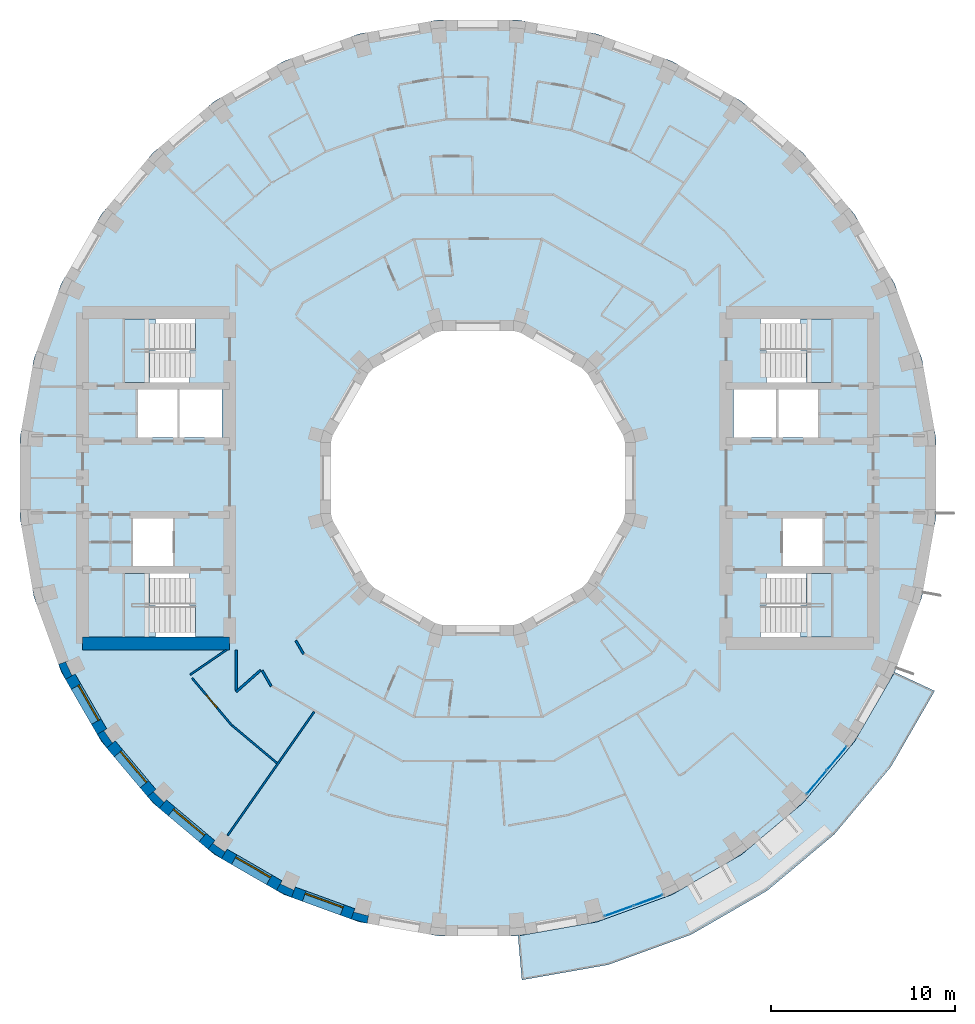
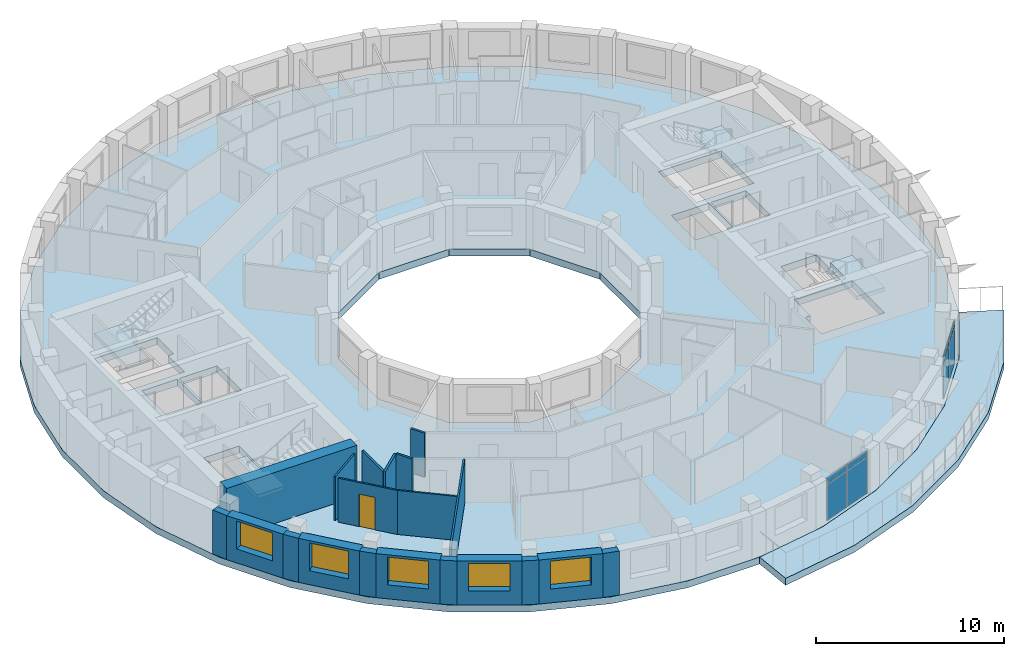
# One storey, part 5 of 15: 20 walls, 8 plates, 6 slabs, 5 windows, 1 door, 6 openings, 6 elements without a shape of their own.
"""IFC4 building model written with IfcOpenShell, lengths in metres."""

from ifc_helpers import new_model, si_unit, direction, frame, frame_2d, origin, origin_2d, place, context, subcontext, project, spatial, polyline, rectangle, outline, extrude, material, layer, layer_set, type_object, element, fill, aggregate, save


model = new_model("IFC4")

# Units and contexts
model_context = context("Model", 3, precision=1e-05, world=origin(), true_north=direction((0.0, 1.0)))
body_context = subcontext(model_context, "Body", "Model", "MODEL_VIEW")
ifc_project = project(units=[si_unit("LENGTHUNIT", "METRE"), si_unit("AREAUNIT", "SQUARE_METRE"), si_unit("VOLUMEUNIT", "CUBIC_METRE"), si_unit("PLANEANGLEUNIT", "RADIAN"), si_unit("MASSUNIT", "GRAM", prefix="KILO")], contexts=[model_context])

# Site, building, storey
site_placement = place(None, origin())
site = spatial("IfcSite", under=ifc_project, at=site_placement, CompositionType="ELEMENT")
building_placement = place(site_placement, origin())
building = spatial("IfcBuilding", under=site, at=building_placement, Name="Saqina Gate Tower", CompositionType="ELEMENT")
storey_placement = place(building_placement, frame((0.0, 0.0, 167.39990234375)))
storey = spatial("IfcBuildingStorey", under=building, at=storey_placement, Name="L47", CompositionType="ELEMENT", Elevation=167.39990234375)

# Curtain wall, plates
ifc_material_1 = material(Name="Aluminium glazing", Category="aluminium")
ifc_layer_1 = layer(ifc_material_1, 0.159912109375)
ifc_layer_set_1 = layer_set([ifc_layer_1], Name="CWT-4")
curtain_wall_type = type_object("IfcCurtainWallType", Name="CWT-4", PredefinedType="NOTDEFINED", material=ifc_layer_set_1)
curtain_wall_1_placement = place(storey_placement, origin())
curtain_wall_1 = element("IfcCurtainWall", 1, at=curtain_wall_1_placement, inside=storey, type_object=curtain_wall_type, Name="Terrace lounge glazing facet 29", PredefinedType="NOTDEFINED")
ifc_material_2 = material(Name="Glass", Category="glass")
ifc_layer_2 = layer(ifc_material_2, 0.028076171875)
ifc_layer_set_2 = layer_set([ifc_layer_2], Name="CWT-4P")
plate_type = type_object("IfcPlateType", Name="CWT-4P", PredefinedType="CURTAIN_PANEL", material=ifc_layer_set_2)
plate_1_placement = place(storey_placement, frame((7.67041015625, -23.5517578125, 0.06005859375), z_axis=(0.0, 0.0, 1.0), x_axis=(0.939690972552, 0.342024671777, 0.0)))
plate_1 = element("IfcPlate", 2, at=plate_1_placement, type_object=plate_type, Name="CW4-29 panel 1.1", PredefinedType="CURTAIN_PANEL", context=body_context, shape_type="SweptSolid", body=[
    extrude(rectangle(XDim=1.634765625, YDim=0.028076171875, at=origin_2d()), origin(), (0.0, 0.0, 1.0), 2.31005859375),
])
plate_2_placement = place(storey_placement, frame((7.67041015625, -23.5517578125, 2.43017578125), z_axis=(0.0, 0.0, 1.0), x_axis=(0.939690972552, 0.342024671777, 0.0)))
plate_2 = element("IfcPlate", 3, at=plate_2_placement, type_object=plate_type, Name="CW4-29 panel 1.2", PredefinedType="CURTAIN_PANEL", context=body_context, shape_type="SweptSolid", body=[
    extrude(rectangle(XDim=1.634765625, YDim=0.028076171875, at=origin_2d()), origin(), (0.0, 0.0, 1.0), 0.360107421875),
])
plate_3_placement = place(storey_placement, frame((9.262939453125, -22.97216796875, 0.06005859375), z_axis=(0.0, 0.0, 1.0), x_axis=(0.939690972552, 0.342024671777, 0.0)))
plate_3 = element("IfcPlate", 4, at=plate_3_placement, type_object=plate_type, Name="CW4-29 panel 2.1", PredefinedType="CURTAIN_PANEL", context=body_context, shape_type="SweptSolid", body=[
    extrude(rectangle(XDim=1.634765625, YDim=0.028076171875, at=origin_2d()), origin(), (0.0, 0.0, 1.0), 2.31005859375),
])
plate_4_placement = place(storey_placement, frame((9.262939453125, -22.97216796875, 2.43017578125), z_axis=(0.0, 0.0, 1.0), x_axis=(0.939690972552, 0.342024671777, 0.0)))
plate_4 = element("IfcPlate", 5, at=plate_4_placement, type_object=plate_type, Name="CW4-29 panel 2.2", PredefinedType="CURTAIN_PANEL", context=body_context, shape_type="SweptSolid", body=[
    extrude(rectangle(XDim=1.634765625, YDim=0.028076171875, at=origin_2d()), origin(), (0.0, 0.0, 1.0), 0.360107421875),
])
aggregate(curtain_wall_1, [plate_1, plate_2, plate_3, plate_4])

curtain_wall_2_placement = place(storey_placement, origin())
curtain_wall_2 = element("IfcCurtainWall", 6, at=curtain_wall_2_placement, inside=storey, type_object=curtain_wall_type, Name="Terrace lounge glazing facet 32", PredefinedType="NOTDEFINED")
plate_5_placement = place(storey_placement, frame((18.418701171875, -16.561279296875, 0.06005859375), z_axis=(0.0, 0.0, 1.0), x_axis=(0.642789549658, 0.766042815286, 0.0)))
plate_5 = element("IfcPlate", 7, at=plate_5_placement, type_object=plate_type, Name="CW4-32 panel 1.1", PredefinedType="CURTAIN_PANEL", context=body_context, shape_type="SweptSolid", body=[
    extrude(rectangle(XDim=1.635009765625, YDim=0.028076171875, at=origin_2d()), origin(), (0.0, 0.0, 1.0), 2.31005859375),
])
plate_6_placement = place(storey_placement, frame((18.418701171875, -16.561279296875, 2.43017578125), z_axis=(0.0, 0.0, 1.0), x_axis=(0.642789549658, 0.766042815286, 0.0)))
plate_6 = element("IfcPlate", 8, at=plate_6_placement, type_object=plate_type, Name="CW4-32 panel 1.2", PredefinedType="CURTAIN_PANEL", context=body_context, shape_type="SweptSolid", body=[
    extrude(rectangle(XDim=1.635009765625, YDim=0.028076171875, at=origin_2d()), origin(), (0.0, 0.0, 1.0), 0.360107421875),
])
plate_7_placement = place(storey_placement, frame((19.508056640625, -15.262939453125, 0.06005859375), z_axis=(0.0, 0.0, 1.0), x_axis=(0.642789549658, 0.766042815286, 0.0)))
plate_7 = element("IfcPlate", 9, at=plate_7_placement, type_object=plate_type, Name="CW4-32 panel 2.1", PredefinedType="CURTAIN_PANEL", context=body_context, shape_type="SweptSolid", body=[
    extrude(rectangle(XDim=1.635009765625, YDim=0.028076171875, at=origin_2d()), origin(), (0.0, 0.0, 1.0), 2.31005859375),
])
plate_8_placement = place(storey_placement, frame((19.508056640625, -15.262939453125, 2.43017578125), z_axis=(0.0, 0.0, 1.0), x_axis=(0.642789549658, 0.766042815286, 0.0)))
plate_8 = element("IfcPlate", 10, at=plate_8_placement, type_object=plate_type, Name="CW4-32 panel 2.2", PredefinedType="CURTAIN_PANEL", context=body_context, shape_type="SweptSolid", body=[
    extrude(rectangle(XDim=1.635009765625, YDim=0.028076171875, at=origin_2d()), origin(), (0.0, 0.0, 1.0), 0.360107421875),
])
aggregate(curtain_wall_2, [plate_5, plate_6, plate_7, plate_8])

# Stair, slab
ifc_material_3 = material(Name="Concrete C40/50", Category="concrete")
stair_type = type_object("IfcStairType", Name="EXIT STAIR", PredefinedType="HALF_TURN_STAIR", material=ifc_material_3)
stair_1_placement = place(storey_placement, origin())
stair_1 = element("IfcStair", 11, at=stair_1_placement, inside=storey, type_object=stair_type, Name="EXIT STAIR 1", PredefinedType="HALF_TURN_STAIR")
ifc_material_4 = material(Name="Concrete C40/50", Category="concrete")
ifc_layer_3 = layer(ifc_material_4, 0.25)
ifc_layer_set_3 = layer_set([ifc_layer_3], Name="Concrete C40/50")
slab_type_1 = type_object("IfcSlabType", Name="EXIT STAIR LANDING", PredefinedType="LANDING", material=ifc_layer_set_3)
slab_1_placement = place(storey_placement, frame((0.0, 0.0, 1.400146484375)))
slab_1 = element("IfcSlab", 12, at=slab_1_placement, type_object=slab_type_1, Name="EXIT STAIR 1 LANDING 1", PredefinedType="LANDING", context=body_context, shape_type="SweptSolid", body=[
    extrude(outline(polyline([(19.219970703125, 8.64990234375), (19.219970703125, 5.199951171875), (17.864990234375, 5.199951171875), (17.864990234375, 6.925048828125), (17.534423828125, 6.925048828125), (17.534423828125, 8.64990234375), (17.864990234375, 8.64990234375), (17.8701171875, 8.64990234375), (19.219970703125, 8.64990234375)])), origin(), (0.0, 0.0, 1.0), 0.25),
])
aggregate(stair_1, [slab_1])

stair_2_placement = place(storey_placement, origin())
stair_2 = element("IfcStair", 13, at=stair_2_placement, inside=storey, type_object=stair_type, Name="EXIT STAIR 2", PredefinedType="HALF_TURN_STAIR")
slab_2_placement = place(storey_placement, frame((0.0, 0.0, 1.400146484375)))
slab_2 = element("IfcSlab", 14, at=slab_2_placement, type_object=slab_type_1, Name="EXIT STAIR 2 LANDING 1", PredefinedType="LANDING", context=body_context, shape_type="SweptSolid", body=[
    extrude(outline(polyline([(17.534423828125, -8.64990234375), (17.534423828125, -6.925048828125), (17.864990234375, -6.925048828125), (17.864990234375, -5.199951171875), (19.219970703125, -5.199951171875), (19.219970703125, -8.64990234375), (17.8701171875, -8.64990234375), (17.864990234375, -8.64990234375), (17.534423828125, -8.64990234375)])), origin(), (0.0, 0.0, 1.0), 0.25),
])
aggregate(stair_2, [slab_2])

stair_3_placement = place(storey_placement, origin())
stair_3 = element("IfcStair", 15, at=stair_3_placement, inside=storey, type_object=stair_type, Name="EXIT STAIR 3", PredefinedType="HALF_TURN_STAIR")
slab_3_placement = place(storey_placement, frame((0.0, 0.0, 1.400146484375)))
slab_3 = element("IfcSlab", 16, at=slab_3_placement, type_object=slab_type_1, Name="EXIT STAIR 3 LANDING 1", PredefinedType="LANDING", context=body_context, shape_type="SweptSolid", body=[
    extrude(outline(polyline([(-17.864990234375, 5.199951171875), (-19.219970703125, 5.199951171875), (-19.219970703125, 8.64990234375), (-17.8701171875, 8.64990234375), (-17.864990234375, 8.64990234375), (-17.534423828125, 8.64990234375), (-17.534423828125, 6.925048828125), (-17.864990234375, 6.925048828125), (-17.864990234375, 5.199951171875)])), origin(), (0.0, 0.0, 1.0), 0.25),
])
aggregate(stair_3, [slab_3])

stair_4_placement = place(storey_placement, origin())
stair_4 = element("IfcStair", 17, at=stair_4_placement, inside=storey, type_object=stair_type, Name="EXIT STAIR 4", PredefinedType="HALF_TURN_STAIR")
slab_4_placement = place(storey_placement, frame((0.0, 0.0, 1.400146484375)))
slab_4 = element("IfcSlab", 18, at=slab_4_placement, type_object=slab_type_1, Name="EXIT STAIR 4 LANDING 1", PredefinedType="LANDING", context=body_context, shape_type="SweptSolid", body=[
    extrude(outline(polyline([(-17.534423828125, -6.925048828125), (-17.534423828125, -8.64990234375), (-17.864990234375, -8.64990234375), (-17.8701171875, -8.64990234375), (-19.219970703125, -8.64990234375), (-19.219970703125, -5.199951171875), (-17.864990234375, -5.199951171875), (-17.864990234375, -6.925048828125), (-17.534423828125, -6.925048828125)])), origin(), (0.0, 0.0, 1.0), 0.25),
])
aggregate(stair_4, [slab_4])

# Slabs
ifc_material_5 = material(Name="Concrete C40/50", Category="concrete")
ifc_layer_4 = layer(ifc_material_5, 0.449951171875)
ifc_layer_set_4 = layer_set([ifc_layer_4], Name="Concrete C40/50")
slab_type_2 = type_object("IfcSlabType", Name="STR-POST-TENSIONED FLAT PLATE FLOOR-450", PredefinedType="FLOOR", material=ifc_layer_set_4)
slab_5_placement = place(storey_placement, frame((0.0, 0.0, -0.449951171875)))
element("IfcSlab", 19, at=slab_5_placement, inside=storey, type_object=slab_type_2, Name="L47-SLB01", PredefinedType="FLOOR", context=body_context, shape_type="SweptSolid", body=[
    extrude(outline(polyline([(24.148193359375, -6.470458984375), (24.90478515625, -2.178955078125), (24.90478515625, 2.178955078125), (24.148193359375, 6.470458984375), (22.65771484375, 10.5654296875), (20.478759765625, 14.33935546875), (17.677734375, 17.677734375), (14.33935546875, 20.478759765625), (10.5654296875, 22.65771484375), (6.470458984375, 24.148193359375), (2.178955078125, 24.90478515625), (-2.178955078125, 24.90478515625), (-6.470458984375, 24.148193359375), (-10.5654296875, 22.65771484375), (-14.33935546875, 20.478759765625), (-17.677734375, 17.677734375), (-20.478759765625, 14.33935546875), (-22.65771484375, 10.5654296875), (-24.148193359375, 6.470458984375), (-24.90478515625, 2.178955078125), (-24.90478515625, -2.178955078125), (-24.148193359375, -6.470458984375), (-22.65771484375, -10.5654296875), (-20.478759765625, -14.33935546875), (-17.677734375, -17.677734375), (-14.33935546875, -20.478759765625), (-10.5654296875, -22.65771484375), (-6.470458984375, -24.148193359375), (-2.178955078125, -24.90478515625), (2.178955078125, -24.90478515625), (6.470458984375, -24.148193359375), (10.5654296875, -22.65771484375), (14.33935546875, -20.478759765625), (17.677734375, -17.677734375), (20.478759765625, -14.33935546875), (22.65771484375, -10.5654296875), (24.148193359375, -6.470458984375)]), holes=[polyline([(2.1435546875, 8.0), (5.8564453125, 5.8564453125), (8.0, 2.1435546875), (8.0, -2.1435546875), (5.8564453125, -5.8564453125), (2.1435546875, -8.0), (-2.1435546875, -8.0), (-5.8564453125, -5.8564453125), (-8.0, -2.1435546875), (-8.0, 2.1435546875), (-5.8564453125, 5.8564453125), (-2.1435546875, 8.0), (2.1435546875, 8.0)]), polyline([(-15.35498046875, -8.64990234375), (-19.219970703125, -8.64990234375), (-19.219970703125, -6.925048828125), (-19.219970703125, -5.199951171875), (-15.685546875, -5.199951171875), (-15.685546875, -6.925048828125), (-15.35498046875, -6.925048828125), (-15.35498046875, -8.64990234375)]), polyline([(-16.590087890625, -2.199951171875), (-16.590087890625, -4.800048828125), (-18.75, -4.800048828125), (-18.75, -2.199951171875), (-16.590087890625, -2.199951171875)]), polyline([(-16.340087890625, 4.800048828125), (-16.340087890625, 2.199951171875), (-18.5, 2.199951171875), (-18.5, 4.800048828125), (-16.340087890625, 4.800048828125)]), polyline([(-13.909912109375, 4.800048828125), (-13.909912109375, 2.199951171875), (-16.219970703125, 2.199951171875), (-16.219970703125, 4.800048828125), (-13.909912109375, 4.800048828125)]), polyline([(-19.219970703125, 6.925048828125), (-19.219970703125, 8.64990234375), (-15.35498046875, 8.64990234375), (-15.35498046875, 6.925048828125), (-15.685546875, 6.925048828125), (-15.685546875, 5.199951171875), (-19.219970703125, 5.199951171875), (-19.219970703125, 6.925048828125)]), polyline([(15.35498046875, -8.64990234375), (15.35498046875, -6.925048828125), (15.685546875, -6.925048828125), (15.685546875, -5.199951171875), (19.219970703125, -5.199951171875), (19.219970703125, -6.925048828125), (19.219970703125, -8.64990234375), (15.35498046875, -8.64990234375)]), polyline([(18.75, -2.199951171875), (18.75, -4.800048828125), (16.590087890625, -4.800048828125), (16.590087890625, -2.199951171875), (18.75, -2.199951171875)]), polyline([(16.219970703125, 4.800048828125), (16.219970703125, 2.199951171875), (13.909912109375, 2.199951171875), (13.909912109375, 4.800048828125), (16.219970703125, 4.800048828125)]), polyline([(18.5, 4.800048828125), (18.5, 2.199951171875), (16.340087890625, 2.199951171875), (16.340087890625, 4.800048828125), (18.5, 4.800048828125)]), polyline([(15.685546875, 6.925048828125), (15.35498046875, 6.925048828125), (15.35498046875, 8.64990234375), (19.219970703125, 8.64990234375), (19.219970703125, 6.925048828125), (19.219970703125, 5.199951171875), (15.685546875, 5.199951171875), (15.685546875, 6.925048828125)])]), origin(), (0.0, 0.0, 1.0), 0.449951171875),
])
ifc_material_6 = material(Name="Concrete C40/50", Category="concrete")
ifc_layer_5 = layer(ifc_material_6, 0.449951171875)
ifc_layer_set_5 = layer_set([ifc_layer_5], Name="Concrete C40/50")
slab_type_3 = type_object("IfcSlabType", Name="STR-POST-TENSIONED FLAT PLATE TERRACE-450", PredefinedType="FLOOR", material=ifc_layer_set_5)
slab_6_placement = place(storey_placement, frame((0.0, 0.0, -0.449951171875)))
element("IfcSlab", 20, at=slab_6_placement, inside=storey, type_object=slab_type_3, Name="L47-TRS01", PredefinedType="FLOOR", context=body_context, shape_type="SweptSolid", body=[
    extrude(outline(polyline([(2.178955078125, -24.90478515625), (6.470458984375, -24.148193359375), (10.5654296875, -22.65771484375), (14.33935546875, -20.478759765625), (17.677734375, -17.677734375), (20.478759765625, -14.33935546875), (22.65771484375, -10.5654296875), (24.841064453125, -11.58349609375), (22.452392578125, -15.72119140625), (19.381103515625, -19.381103515625), (15.72119140625, -22.452392578125), (11.58349609375, -24.841064453125), (7.093994140625, -26.475341796875), (2.388916015625, -27.304931640625), (2.178955078125, -24.90478515625)])), origin(), (0.0, 0.0, 1.0), 0.449951171875),
])

# Walls
ifc_material_7 = material(Name="Brick masonry (buff)", Category="masonry")
wall_type_1 = type_object("IfcWallType", Name="BRICK PIER COPING BUFF", PredefinedType="SOLIDWALL", material=ifc_material_7)
wall_1_placement = place(storey_placement, origin())
element("IfcWall", 21, at=wall_1_placement, inside=storey, type_object=wall_type_1, Name="Pier cap L47 column 21", PredefinedType="SOLIDWALL", context=body_context, shape_type="SweptSolid", body=[
    extrude(outline(polyline([(-22.4306640625, -10.958740234375), (-21.9111328125, -10.65869140625), (-22.080810546875, -10.73779296875), (-22.4189453125, -10.0126953125), (-22.249267578125, -9.93359375), (-22.81298828125, -10.138916015625), (-22.4306640625, -10.958740234375)])), origin(), (0.0, 0.0, 1.0), 2.85009765625),
])
wall_2_placement = place(storey_placement, origin())
element("IfcWall", 22, at=wall_2_placement, inside=storey, type_object=wall_type_1, Name="Pier cap L47 column 22", PredefinedType="SOLIDWALL", context=body_context, shape_type="SweptSolid", body=[
    extrude(outline(polyline([(-20.705810546875, -13.9462890625), (-20.18701171875, -14.687255859375), (-19.727294921875, -14.301513671875), (-19.880859375, -14.408935546875), (-20.339599609375, -13.753662109375), (-20.186279296875, -13.646240234375), (-20.705810546875, -13.9462890625)])), origin(), (0.0, 0.0, 1.0), 2.85009765625),
])
wall_3_placement = place(storey_placement, origin())
element("IfcWall", 23, at=wall_3_placement, inside=storey, type_object=wall_type_1, Name="Pier cap L47 column 23", PredefinedType="SOLIDWALL", context=body_context, shape_type="SweptSolid", body=[
    extrude(outline(polyline([(-17.329833984375, -17.969482421875), (-16.944091796875, -17.510009765625), (-17.07666015625, -17.642333984375), (-17.642333984375, -17.07666015625), (-17.510009765625, -16.944091796875), (-17.969482421875, -17.329833984375), (-17.329833984375, -17.969482421875)])), origin(), (0.0, 0.0, 1.0), 2.85009765625),
])
wall_4_placement = place(storey_placement, origin())
element("IfcWall", 24, at=wall_4_placement, inside=storey, type_object=wall_type_1, Name="Pier cap L47 column 24", PredefinedType="SOLIDWALL", context=body_context, shape_type="SweptSolid", body=[
    extrude(outline(polyline([(-14.687255859375, -20.18701171875), (-13.9462890625, -20.705810546875), (-13.646240234375, -20.186279296875), (-13.753662109375, -20.339599609375), (-14.408935546875, -19.880859375), (-14.301513671875, -19.727294921875), (-14.687255859375, -20.18701171875)])), origin(), (0.0, 0.0, 1.0), 2.85009765625),
])
wall_5_placement = place(storey_placement, origin())
element("IfcWall", 25, at=wall_5_placement, inside=storey, type_object=wall_type_1, Name="Pier cap L47 column 25", PredefinedType="SOLIDWALL", context=body_context, shape_type="SweptSolid", body=[
    extrude(outline(polyline([(-10.138916015625, -22.81298828125), (-9.93359375, -22.249267578125), (-10.0126953125, -22.4189453125), (-10.73779296875, -22.080810546875), (-10.65869140625, -21.9111328125), (-10.958740234375, -22.4306640625), (-10.138916015625, -22.81298828125)])), origin(), (0.0, 0.0, 1.0), 2.85009765625),
])
wall_6_placement = place(storey_placement, origin())
element("IfcWall", 26, at=wall_6_placement, inside=storey, type_object=wall_type_1, Name="Pier cap L47 column 26", PredefinedType="SOLIDWALL", context=body_context, shape_type="SweptSolid", body=[
    extrude(outline(polyline([(-6.0234375, -24.22705078125), (-5.919189453125, -23.635986328125), (-5.967529296875, -23.81689453125), (-6.740478515625, -23.610107421875), (-6.69189453125, -23.428955078125), (-6.897216796875, -23.992919921875), (-6.0234375, -24.22705078125)])), origin(), (0.0, 0.0, 1.0), 2.85009765625),
])

# Wall, opening, window
ifc_material_8 = material(Name="Brick masonry (buff)", Category="masonry")
ifc_layer_6 = layer(ifc_material_8, 0.60009765625)
ifc_layer_set_6 = layer_set([ifc_layer_6], Name="FW-BRICK-BUFF")
wall_type_2 = type_object("IfcWallType", Name="FW-BRICK-BUFF", PredefinedType="SOLIDWALL", material=ifc_layer_set_6)
wall_7_placement = place(storey_placement, frame((-22.1708984375, -10.80859375, 0.0), z_axis=(0.0, 0.0, 1.0), x_axis=(0.499998129301, -0.86602648383, 0.0)))
wall_7 = element("IfcWall", 27, at=wall_7_placement, inside=storey, type_object=wall_type_2, Name="Facade wall L47 facet 21", PredefinedType="SOLIDWALL", context=body_context, shape_type="SweptSolid", body=[
    extrude(rectangle(XDim=3.44970703125, YDim=0.60009765625, at=frame_2d((1.724853515625, 0.0))), origin(), (0.0, 0.0, 1.0), 2.85009765625),
])
opening_1_placement = place(wall_7_placement, frame((0.625, 0.0, 0.89990234375)))
opening_1 = element("IfcOpeningElement", 28, at=opening_1_placement, cuts=wall_7, Name="Opening G13-W14", PredefinedType="OPENING", context=body_context, shape_type="SweptSolid", body=[
    extrude(rectangle(XDim=2.199951171875, YDim=1.800048828125, at=frame_2d((1.10009765625, 0.89990234375))), frame((0.0, 0.31201171875, 0.0), z_axis=(0.0, -1.0, 0.0), x_axis=(1.0, 0.0, 0.0)), (0.0, 0.0, 1.0), 0.6240234375),
])
ifc_material_9 = material(Name="Aluminium glazing", Category="aluminium")
window_type = type_object("IfcWindowType", Name="WN-C", PartitioningType="SINGLE_PANEL", PredefinedType="WINDOW", material=ifc_material_9)
window_1_placement = place(opening_1_placement, origin())
window_1 = element("IfcWindow", 29, at=window_1_placement, inside=storey, type_object=window_type, Name="Window L47 facet 21", OverallHeight=1.800048828125, OverallWidth=2.199951171875, PartitioningType="SINGLE_PANEL", PredefinedType="WINDOW", context=body_context, shape_type="SweptSolid", body=[
    extrude(rectangle(XDim=2.199951171875, YDim=1.800048828125, at=frame_2d((1.10009765625, 0.89990234375))), frame((0.0, 0.179931640625, 0.0), z_axis=(0.0, -1.0, 0.0), x_axis=(1.0, 0.0, 0.0)), (0.0, 0.0, 1.0), 0.06005859375),
])
fill(opening_1, window_1)

wall_8_placement = place(storey_placement, frame((-19.95703125, -14.494384765625, 0.0), z_axis=(0.0, 0.0, 1.0), x_axis=(0.642770398358, -0.766058884809, 0.0)))
wall_8 = element("IfcWall", 30, at=wall_8_placement, inside=storey, type_object=wall_type_2, Name="Facade wall L47 facet 22", PredefinedType="SOLIDWALL", context=body_context, shape_type="SweptSolid", body=[
    extrude(rectangle(XDim=3.449462890625, YDim=0.60009765625, at=frame_2d((1.724609375, 0.0))), origin(), (0.0, 0.0, 1.0), 2.85009765625),
])
opening_2_placement = place(wall_8_placement, frame((0.625, 0.0, 0.89990234375)))
opening_2 = element("IfcOpeningElement", 31, at=opening_2_placement, cuts=wall_8, Name="Opening G13-W15", PredefinedType="OPENING", context=body_context, shape_type="SweptSolid", body=[
    extrude(rectangle(XDim=2.199951171875, YDim=1.800048828125, at=frame_2d((1.10009765625, 0.89990234375))), frame((0.0, 0.31201171875, 0.0), z_axis=(0.0, -1.0, 0.0), x_axis=(1.0, 0.0, 0.0)), (0.0, 0.0, 1.0), 0.6240234375),
])
window_2_placement = place(opening_2_placement, origin())
window_2 = element("IfcWindow", 32, at=window_2_placement, inside=storey, type_object=window_type, Name="Window L47 facet 22", OverallHeight=1.800048828125, OverallWidth=2.199951171875, PartitioningType="SINGLE_PANEL", PredefinedType="WINDOW", context=body_context, shape_type="SweptSolid", body=[
    extrude(rectangle(XDim=2.199951171875, YDim=1.800048828125, at=frame_2d((1.10009765625, 0.89990234375))), frame((0.0, 0.179931640625, 0.0), z_axis=(0.0, -1.0, 0.0), x_axis=(1.0, 0.0, 0.0)), (0.0, 0.0, 1.0), 0.06005859375),
])
fill(opening_2, window_2)

wall_9_placement = place(storey_placement, frame((-17.136962890625, -17.73974609375, 0.0), z_axis=(0.0, 0.0, 1.0), x_axis=(0.766058884809, -0.642770398358, 0.0)))
wall_9 = element("IfcWall", 33, at=wall_9_placement, inside=storey, type_object=wall_type_2, Name="Facade wall L47 facet 23", PredefinedType="SOLIDWALL", context=body_context, shape_type="SweptSolid", body=[
    extrude(rectangle(XDim=3.449462890625, YDim=0.60009765625, at=frame_2d((1.724609375, 0.0))), origin(), (0.0, 0.0, 1.0), 2.85009765625),
])
opening_3_placement = place(wall_9_placement, frame((0.625, 0.0, 0.89990234375)))
opening_3 = element("IfcOpeningElement", 34, at=opening_3_placement, cuts=wall_9, Name="Opening G13-W16", PredefinedType="OPENING", context=body_context, shape_type="SweptSolid", body=[
    extrude(rectangle(XDim=2.199951171875, YDim=1.800048828125, at=frame_2d((1.10009765625, 0.89990234375))), frame((0.0, 0.31201171875, 0.0), z_axis=(0.0, -1.0, 0.0), x_axis=(1.0, 0.0, 0.0)), (0.0, 0.0, 1.0), 0.6240234375),
])
window_3_placement = place(opening_3_placement, origin())
window_3 = element("IfcWindow", 35, at=window_3_placement, inside=storey, type_object=window_type, Name="Window L47 facet 23", OverallHeight=1.800048828125, OverallWidth=2.199951171875, PartitioningType="SINGLE_PANEL", PredefinedType="WINDOW", context=body_context, shape_type="SweptSolid", body=[
    extrude(rectangle(XDim=2.199951171875, YDim=1.800048828125, at=frame_2d((1.10009765625, 0.89990234375))), frame((0.0, 0.179931640625, 0.0), z_axis=(0.0, -1.0, 0.0), x_axis=(1.0, 0.0, 0.0)), (0.0, 0.0, 1.0), 0.06005859375),
])
fill(opening_3, window_3)

wall_10_placement = place(storey_placement, frame((-13.796142578125, -20.446044921875, 0.0), z_axis=(0.0, 0.0, 1.0), x_axis=(0.86602648383, -0.499998129301, 0.0)))
wall_10 = element("IfcWall", 36, at=wall_10_placement, inside=storey, type_object=wall_type_2, Name="Facade wall L47 facet 24", PredefinedType="SOLIDWALL", context=body_context, shape_type="SweptSolid", body=[
    extrude(rectangle(XDim=3.44970703125, YDim=0.60009765625, at=frame_2d((1.724853515625, 0.0))), origin(), (0.0, 0.0, 1.0), 2.85009765625),
])
opening_4_placement = place(wall_10_placement, frame((0.625, 0.0, 0.89990234375)))
opening_4 = element("IfcOpeningElement", 37, at=opening_4_placement, cuts=wall_10, Name="Opening G13-W17", PredefinedType="OPENING", context=body_context, shape_type="SweptSolid", body=[
    extrude(rectangle(XDim=2.199951171875, YDim=1.800048828125, at=frame_2d((1.10009765625, 0.89990234375))), frame((0.0, 0.31201171875, 0.0), z_axis=(0.0, -1.0, 0.0), x_axis=(1.0, 0.0, 0.0)), (0.0, 0.0, 1.0), 0.6240234375),
])
window_4_placement = place(opening_4_placement, origin())
window_4 = element("IfcWindow", 38, at=window_4_placement, inside=storey, type_object=window_type, Name="Window L47 facet 24", OverallHeight=1.800048828125, OverallWidth=2.199951171875, PartitioningType="SINGLE_PANEL", PredefinedType="WINDOW", context=body_context, shape_type="SweptSolid", body=[
    extrude(rectangle(XDim=2.199951171875, YDim=1.800048828125, at=frame_2d((1.10009765625, 0.89990234375))), frame((0.0, 0.179931640625, 0.0), z_axis=(0.0, -1.0, 0.0), x_axis=(1.0, 0.0, 0.0)), (0.0, 0.0, 1.0), 0.06005859375),
])
fill(opening_4, window_4)

wall_11_placement = place(storey_placement, frame((-10.0361328125, -22.531005859375, 0.0), z_axis=(0.0, 0.0, 1.0), x_axis=(0.93968799822, -0.342032843455, 0.0)))
wall_11 = element("IfcWall", 39, at=wall_11_placement, inside=storey, type_object=wall_type_2, Name="Facade wall L47 facet 25", PredefinedType="SOLIDWALL", context=body_context, shape_type="SweptSolid", body=[
    extrude(rectangle(XDim=3.44970703125, YDim=0.60009765625, at=frame_2d((1.724853515625, 0.0))), origin(), (0.0, 0.0, 1.0), 2.85009765625),
])
opening_5_placement = place(wall_11_placement, frame((0.625, 0.0, 0.89990234375)))
opening_5 = element("IfcOpeningElement", 40, at=opening_5_placement, cuts=wall_11, Name="Opening G13-W18", PredefinedType="OPENING", context=body_context, shape_type="SweptSolid", body=[
    extrude(rectangle(XDim=2.199951171875, YDim=1.800048828125, at=frame_2d((1.10009765625, 0.89990234375))), frame((0.0, 0.31201171875, 0.0), z_axis=(0.0, -1.0, 0.0), x_axis=(1.0, 0.0, 0.0)), (0.0, 0.0, 1.0), 0.6240234375),
])
window_5_placement = place(opening_5_placement, origin())
window_5 = element("IfcWindow", 41, at=window_5_placement, inside=storey, type_object=window_type, Name="Window L47 facet 25", OverallHeight=1.800048828125, OverallWidth=2.199951171875, PartitioningType="SINGLE_PANEL", PredefinedType="WINDOW", context=body_context, shape_type="SweptSolid", body=[
    extrude(rectangle(XDim=2.199951171875, YDim=1.800048828125, at=frame_2d((1.10009765625, 0.89990234375))), frame((0.0, 0.179931640625, 0.0), z_axis=(0.0, -1.0, 0.0), x_axis=(1.0, 0.0, 0.0)), (0.0, 0.0, 1.0), 0.06005859375),
])
fill(opening_5, window_5)

# Wall, opening, door
ifc_material_10 = material(Name="Gypsum board on steel studs, 100 mm", Category="steel")
ifc_layer_7 = layer(ifc_material_10, 0.10009765625)
ifc_layer_set_7 = layer_set([ifc_layer_7], Name="PARTITION 100")
wall_type_3 = type_object("IfcWallType", Name="PARTITION 100", PredefinedType="PARTITIONING", material=ifc_layer_set_7)
wall_12_placement = place(storey_placement, frame((-15.544921875, -10.885009765625, 0.0), z_axis=(0.0, 0.0, 1.0), x_axis=(0.642690725871, -0.766125727854, 0.0)))
wall_12 = element("IfcWall", 42, at=wall_12_placement, inside=storey, type_object=wall_type_3, Name="PARTITION PW3-16", PredefinedType="PARTITIONING", context=body_context, shape_type="SweptSolid", body=[
    extrude(rectangle(XDim=3.3583984375, YDim=0.10009765625, at=frame_2d((1.67919921875, 0.0))), origin(), (0.0, 0.0, 1.0), 2.85009765625),
])
opening_6_placement = place(wall_12_placement, frame((1.203857421875, 0.0, 0.0)))
opening_6 = element("IfcOpeningElement", 43, at=opening_6_placement, cuts=wall_12, Name="Opening G13-D27", PredefinedType="OPENING", context=body_context, shape_type="SweptSolid", body=[
    extrude(rectangle(XDim=0.89990234375, YDim=2.10009765625, at=frame_2d((0.449951171875, 1.050048828125))), frame((0.0, 0.06201171875, 0.0), z_axis=(0.0, -1.0, 0.0), x_axis=(1.0, 0.0, 0.0)), (0.0, 0.0, 1.0), 0.1240234375),
])
ifc_material_11 = material(Name="Timber door leaf, 900 mm", Category="wood")
door_type = type_object("IfcDoorType", Name="DOOR 900 TIMBER", OperationType="SINGLE_SWING_LEFT", PredefinedType="DOOR", material=ifc_material_11)
door_placement = place(opening_6_placement, frame((0.89990234375, 0.0, 0.0), z_axis=(0.0, 0.0, 1.0), x_axis=(-1.0, 0.0, 0.0)))
door = element("IfcDoor", 44, at=door_placement, inside=storey, type_object=door_type, Name="DOOR G13-D27", OperationType="SINGLE_SWING_RIGHT", OverallHeight=2.10009765625, OverallWidth=0.89990234375, PredefinedType="DOOR", context=body_context, shape_type="SweptSolid", body=[
    extrude(rectangle(XDim=0.89990234375, YDim=2.10009765625, at=frame_2d((0.449951171875, 1.050048828125))), frame((0.0, 0.02490234375, 0.0), z_axis=(0.0, -1.0, 0.0), x_axis=(1.0, 0.0, 0.0)), (0.0, 0.0, 1.0), 0.050048828125),
])
fill(opening_6, door)

# Walls
wall_13_placement = place(storey_placement, frame((-13.380615234375, -13.451171875, 0.0), z_axis=(0.0, 0.0, 1.0), x_axis=(0.766064597799, -0.642763589509, 0.0)))
element("IfcWall", 45, at=wall_13_placement, inside=storey, type_object=wall_type_3, Name="PARTITION PW3-21", PredefinedType="PARTITIONING", context=body_context, shape_type="SweptSolid", body=[
    extrude(rectangle(XDim=3.207763671875, YDim=0.10009765625, at=frame_2d((1.60400390625, 0.0))), origin(), (0.0, 0.0, 1.0), 2.85009765625),
])
wall_14_placement = place(storey_placement, frame((-15.64990234375, -10.701904296875, 0.0), z_axis=(0.0, 0.0, 1.0), x_axis=(0.82545226585, 0.564471927382, 0.0)))
element("IfcWall", 46, at=wall_14_placement, inside=storey, type_object=wall_type_3, Name="PARTITION PW3-47", PredefinedType="PARTITIONING", context=body_context, shape_type="SweptSolid", body=[
    extrude(rectangle(XDim=2.394775390625, YDim=0.10009765625, at=frame_2d((1.197265625, 0.0))), origin(), (0.0, 0.0, 1.0), 2.85009765625),
])
wall_15_placement = place(storey_placement, frame((-13.616943359375, -19.446533203125, 0.0), z_axis=(0.0, 0.0, 1.0), x_axis=(0.573585951544, 0.819145381597, 0.0)))
element("IfcWall", 47, at=wall_15_placement, inside=storey, type_object=wall_type_3, Name="PARTITION PW3-54", PredefinedType="PARTITIONING", context=body_context, shape_type="SweptSolid", body=[
    extrude(rectangle(XDim=8.21826171875, YDim=0.10009765625, at=frame_2d((4.109130859375, 0.0))), origin(), (0.0, 0.0, 1.0), 2.85009765625),
])
ifc_material_12 = material(Name="Gypsum board on steel studs, 125 mm, fire rated", Category="steel")
ifc_layer_8 = layer(ifc_material_12, 0.125)
ifc_layer_set_8 = layer_set([ifc_layer_8], Name="PARTITION EI 30 125")
wall_type_4 = type_object("IfcWallType", Name="PARTITION EI 30 125", PredefinedType="PARTITIONING", material=ifc_layer_set_8)
wall_16_placement = place(storey_placement, frame((-11.73876953125, -10.46728515625, 0.0), z_axis=(0.0, 0.0, 1.0), x_axis=(0.499097354853, -0.866545919371, 0.0)))
element("IfcWall", 48, at=wall_16_placement, inside=storey, type_object=wall_type_4, Name="PARTITION PW1-01", PredefinedType="PARTITIONING", context=body_context, shape_type="SweptSolid", body=[
    extrude(rectangle(XDim=1.003173828125, YDim=0.125, at=frame_2d((0.50146484375, 0.0))), origin(), (0.0, 0.0, 1.0), 2.85009765625),
])
wall_17_placement = place(storey_placement, frame((-9.90478515625, -8.84521484375, 0.0), z_axis=(0.0, 0.0, 1.0), x_axis=(0.499855389907, -0.866108878364, 0.0)))
element("IfcWall", 49, at=wall_17_placement, inside=storey, type_object=wall_type_4, Name="PARTITION PW1-03", PredefinedType="PARTITIONING", context=body_context, shape_type="SweptSolid", body=[
    extrude(rectangle(XDim=0.847900390625, YDim=0.125, at=frame_2d((0.423828125, 0.0))), origin(), (0.0, 0.0, 1.0), 2.85009765625),
])
wall_18_placement = place(storey_placement, frame((-13.14990234375, -11.634033203125, 0.0), z_axis=(0.0, 0.0, 1.0), x_axis=(0.748988708904, 0.662582760065, 0.0)))
element("IfcWall", 50, at=wall_18_placement, inside=storey, type_object=wall_type_4, Name="PARTITION PW1-30", PredefinedType="PARTITIONING", context=body_context, shape_type="SweptSolid", body=[
    extrude(rectangle(XDim=1.780029296875, YDim=0.125, at=frame_2d((0.89013671875, 0.0))), origin(), (0.0, 0.0, 1.0), 2.85009765625),
])
wall_19_placement = place(storey_placement, frame((-13.14990234375, -11.571533203125, 0.0), z_axis=(0.0, 0.0, 1.0), x_axis=(0.0, 1.0, 0.0)))
element("IfcWall", 51, at=wall_19_placement, inside=storey, type_object=wall_type_4, Name="PARTITION PW1-40", PredefinedType="PARTITIONING", context=body_context, shape_type="SweptSolid", body=[
    extrude(rectangle(XDim=2.221435546875, YDim=0.125, at=frame_2d((1.11083984375, 0.0))), origin(), (0.0, 0.0, 1.0), 2.85009765625),
])
ifc_material_13 = material(Name="Concrete C60/75", Category="concrete")
ifc_layer_9 = layer(ifc_material_13, 0.699951171875)
ifc_layer_set_9 = layer_set([ifc_layer_9], Name="Concrete C60/75")
wall_type_5 = type_object("IfcWallType", Name="STR-CORE WALL-C-O", PredefinedType="SHEAR", material=ifc_layer_set_9)
wall_20_placement = place(storey_placement, frame((-13.5, -9.0, 0.0), z_axis=(0.0, 0.0, 1.0), x_axis=(-1.0, 0.0, 0.0)))
element("IfcWall", 52, at=wall_20_placement, inside=storey, type_object=wall_type_5, Name="CORE WALL L47 W-SE", PredefinedType="SHEAR", context=body_context, shape_type="SweptSolid", body=[
    extrude(rectangle(XDim=8.0, YDim=0.699951171875, at=frame_2d((4.0, 0.0))), origin(), (0.0, 0.0, 1.0), 3.300048828125),
])

save(model, "model.ifc")
